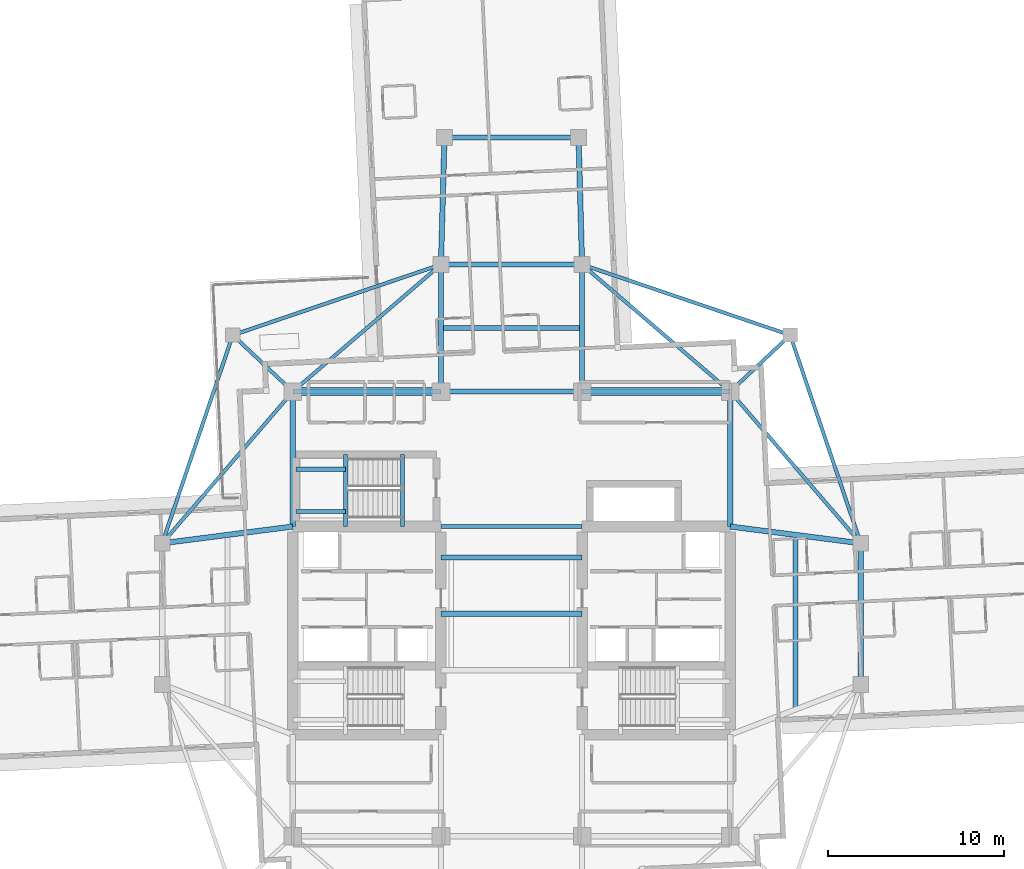
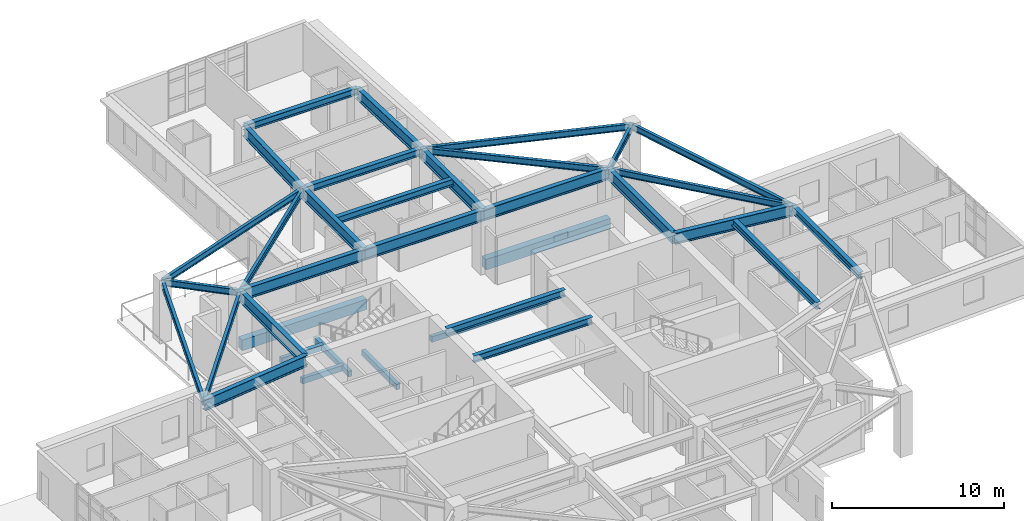
# One storey, part 7 of 22: 35 beams.
"""IFC4 building model written with IfcOpenShell, lengths in metres."""

import ifcopenshell
import ifcopenshell.guid

model = None  # the IFC model being written
_history = None  # IfcOwnerHistory: only IFC2X3 demands one
_inside = {}  # id of a spatial element -> (the spatial element, [elements in it])
_under = {}  # id of a project, library or spatial element -> (it, [spatial elements below it])
_declared = {}  # id of a project -> (the project, [libraries it declares])
_typed = {}  # id of a type object -> (the type object, [elements of that type])
_made_of = {}  # id of a material, layer set ... -> (it, [elements and type objects made of it])


def new_model(schema):
    """Start an empty IFC model of exactly this schema.

    Asked for "IFC4X3", IfcOpenShell would pick the latest addendum, in which some entities
    have other attributes; the version numbers below select the first issue.
    IFC2X3 requires an IfcOwnerHistory on every rooted entity: one is made here for all.
    """
    global model, _history
    if schema == "IFC4X3":
        model = ifcopenshell.file(schema_version=(4, 3, 0, 0))
    else:
        model = ifcopenshell.file(schema=schema)
    _inside.clear()
    _under.clear()
    _declared.clear()
    _typed.clear()
    _made_of.clear()
    _history = None
    if model.schema == "IFC2X3":
        org = make("IfcOrganization", Name="unknown")
        user = make(
            "IfcPersonAndOrganization",
            ThePerson=make("IfcPerson", FamilyName="unknown"),
            TheOrganization=org,
        )
        app = make(
            "IfcApplication",
            ApplicationDeveloper=org,
            Version="unknown",
            ApplicationFullName="unknown",
            ApplicationIdentifier="unknown",
        )
        _history = make(
            "IfcOwnerHistory",
            OwningUser=user,
            OwningApplication=app,
            ChangeAction="ADDED",
            CreationDate=0,
        )
    return model


def make(cls, **values):
    """One entity of the class cls with the attributes given. An attribute that is None is left unset."""
    return model.create_entity(
        cls, **{name: value for name, value in values.items() if value is not None}
    )


def rooted(cls, **values):
    """An entity with a GlobalId (a new one), such as an element, a storey or a relation."""
    return make(cls, GlobalId=ifcopenshell.guid.new(), OwnerHistory=_history, **values)


def si_unit(unit_type, name, prefix=None):
    """IfcSIUnit, for example si_unit("LENGTHUNIT", "METRE", prefix="MILLI")."""
    return make("IfcSIUnit", UnitType=unit_type, Prefix=prefix, Name=name)


def assignment(units):
    """IfcUnitAssignment: the units of a project."""
    return None if units is None else make("IfcUnitAssignment", Units=units)


def point(xyz):
    """IfcCartesianPoint."""
    return None if xyz is None else make("IfcCartesianPoint", Coordinates=xyz)


def direction(xyz):
    """IfcDirection."""
    return None if xyz is None else make("IfcDirection", DirectionRatios=xyz)


def frame(location, z_axis=None, x_axis=None):
    """IfcAxis2Placement3D, a coordinate frame: its origin and axes. An axis left out is left unset."""
    return make(
        "IfcAxis2Placement3D",
        Location=point(location),
        Axis=direction(z_axis),
        RefDirection=direction(x_axis),
    )


def frame_2d(location, x_axis=None):
    """IfcAxis2Placement2D, a coordinate frame in the plane: its origin and x axis."""
    return make(
        "IfcAxis2Placement2D", Location=point(location), RefDirection=direction(x_axis)
    )


def origin():
    """The frame at (0, 0, 0) with its axes left unset."""
    return frame((0.0, 0.0, 0.0))


def origin_2d():
    """The frame at (0, 0) in the plane with its x axis left unset."""
    return frame_2d((0.0, 0.0))


def place(relative_to, where):
    """IfcLocalPlacement: puts the frame where relative to a parent placement (None: the world)."""
    return make(
        "IfcLocalPlacement", PlacementRelTo=relative_to, RelativePlacement=where
    )


def context(
    kind, dimensions, precision=None, world=None, true_north=None, identifier=None
):
    """IfcGeometricRepresentationContext, for example the 3D "Model" context."""
    return make(
        "IfcGeometricRepresentationContext",
        ContextIdentifier=identifier,
        ContextType=kind,
        CoordinateSpaceDimension=dimensions,
        Precision=precision,
        WorldCoordinateSystem=world,
        TrueNorth=true_north,
    )


def subcontext(parent, identifier, kind, view, scale=None):
    """IfcGeometricRepresentationSubContext, for example "Body" below "Model"."""
    return make(
        "IfcGeometricRepresentationSubContext",
        ContextIdentifier=identifier,
        ContextType=kind,
        ParentContext=parent,
        TargetScale=scale,
        TargetView=view,
    )


def project(units=None, contexts=None):
    """IfcProject with its units and contexts."""
    return rooted(
        "IfcProject",
        Name="project",
        RepresentationContexts=contexts,
        UnitsInContext=assignment(units),
    )


def spatial(cls, under=None, at=None, **own):
    """A site, building, storey or space (cls), placed at a placement, below another one or the project."""
    s = rooted(cls, ObjectPlacement=at, **own)
    if under is not None:
        _under.setdefault(under.id(), (under, []))[1].append(s)
    return s


def profile(cls, at=None, kind="AREA", **sizes):
    """A parametric profile (cls). Its sizes go by their IFC names, for example OverallWidth=200.0."""
    return make(cls, ProfileType=kind, Position=at, **sizes)


def rectangle(**sizes):
    """IfcRectangleProfileDef."""
    return profile("IfcRectangleProfileDef", **sizes)


def i_section(**sizes):
    """IfcIShapeProfileDef."""
    return profile("IfcIShapeProfileDef", **sizes)


def extrude(swept, where, along, depth):
    """IfcExtrudedAreaSolid: the profile swept, set in the frame where, extruded along a direction by depth."""
    return make(
        "IfcExtrudedAreaSolid",
        SweptArea=swept,
        Position=where,
        ExtrudedDirection=direction(along),
        Depth=depth,
    )


def shape(context_of_items, identifier, shape_type, items):
    """IfcShapeRepresentation: the items that make up one representation, for example the "Body"."""
    return make(
        "IfcShapeRepresentation",
        ContextOfItems=context_of_items,
        RepresentationIdentifier=identifier,
        RepresentationType=shape_type,
        Items=items,
    )


def material(Name=None, Category=None):
    """IfcMaterial."""
    return make("IfcMaterial", Name=Name, Category=Category)


def material_profile(
    of_material, cross_section, Name=None, Category=None, Priority=None
):
    """IfcMaterialProfile: a cross section and its material."""
    return make(
        "IfcMaterialProfile",
        Name=Name,
        Material=of_material,
        Profile=cross_section,
        Priority=Priority,
        Category=Category,
    )


def profile_set(profiles, Name=None, composite=None):
    """IfcMaterialProfileSet."""
    return make(
        "IfcMaterialProfileSet",
        Name=Name,
        MaterialProfiles=profiles,
        CompositeProfile=composite,
    )


def made_of(thing, what):
    """Note that an element or type object is made of a material, layer set ...; save() writes the relation."""
    if what is not None:
        _made_of.setdefault(what.id(), (what, []))[1].append(thing)
    return thing


def type_object(cls, material=None, **own):
    """A type object (cls), such as IfcWallType, which elements share."""
    return made_of(rooted(cls, **own), material)


def element(
    cls,
    number,
    at=None,
    inside=None,
    cuts=None,
    type_object=None,
    material=None,
    context=None,
    identifier="Body",
    shape_type=None,
    held_by="IfcProductDefinitionShape",
    body=None,
    shapes=None,
    **own,
):
    """One element of the class cls, such as IfcWall. Its Tag is "e" and its number.

    at: its placement. inside: the storey or other place that contains it. cuts: it is an
    opening in that element (IfcRelVoidsElement). A single representation is given by context,
    identifier, shape_type and body (its items); several are given by shapes. held_by: the class
    of the entity that holds the representations. save() writes the other relations.
    """
    e = rooted(cls, Tag="e%d" % number, ObjectPlacement=at, **own)
    if body is not None:
        shapes = [shape(context, identifier, shape_type, body)]
    if shapes is not None:
        e.Representation = make(held_by, Representations=shapes)
    if inside is not None:
        _inside.setdefault(inside.id(), (inside, []))[1].append(e)
    if cuts is not None:
        rooted(
            "IfcRelVoidsElement", RelatingBuildingElement=cuts, RelatedOpeningElement=e
        )
    if type_object is not None:
        _typed.setdefault(type_object.id(), (type_object, []))[1].append(e)
    return made_of(e, material)


def aggregate(whole, parts):
    """IfcRelAggregates: a whole, such as a stair, and the parts it consists of."""
    return rooted("IfcRelAggregates", RelatingObject=whole, RelatedObjects=parts)


def save(model, path):
    """Write the relations noted so far, then the file.

    IfcRelAggregates (storeys below a building ...), IfcRelContainedInSpatialStructure (elements
    in a storey), IfcRelDefinesByType, IfcRelAssociatesMaterial and IfcRelDeclares: one each for
    every whole, place, type object, material and project.
    """
    for whole, parts in _under.values():
        aggregate(whole, parts)
    for where, things in _inside.values():
        rooted(
            "IfcRelContainedInSpatialStructure",
            RelatedElements=things,
            RelatingStructure=where,
        )
    for kind, things in _typed.values():
        rooted("IfcRelDefinesByType", RelatedObjects=things, RelatingType=kind)
    for what, things in _made_of.values():
        rooted("IfcRelAssociatesMaterial", RelatedObjects=things, RelatingMaterial=what)
    for by, libraries in _declared.values():
        rooted("IfcRelDeclares", RelatingContext=by, RelatedDefinitions=libraries)
    model.write(path)


model = new_model("IFC4")

# Units and contexts
model_context = context("Model", 3, precision=1e-05, world=origin(), true_north=direction((0.0, 1.0)))
body_context = subcontext(model_context, "Body", "Model", "MODEL_VIEW")
ifc_project = project(units=[si_unit("LENGTHUNIT", "METRE"), si_unit("AREAUNIT", "SQUARE_METRE"), si_unit("VOLUMEUNIT", "CUBIC_METRE"), si_unit("PLANEANGLEUNIT", "RADIAN"), si_unit("MASSUNIT", "GRAM", prefix="KILO")], contexts=[model_context])

# Site, building, storey
site_placement = place(None, origin())
site = spatial("IfcSite", under=ifc_project, at=site_placement, CompositionType="ELEMENT")
building_placement = place(site_placement, origin())
building = spatial("IfcBuilding", under=site, at=building_placement, Name="Qingluan Cross Belvedere", CompositionType="ELEMENT")
storey_placement = place(building_placement, frame((0.0, 0.0, 196.800048828125)))
storey = spatial("IfcBuildingStorey", under=building, at=storey_placement, Name="L49", CompositionType="ELEMENT", Elevation=196.800048828125)

# Beams
ifc_material_1 = material(Name="Concrete C45", Category="concrete")
ifc_material_profile_1 = material_profile(ifc_material_1, rectangle(XDim=0.25, YDim=0.39990234375, at=origin_2d()), Name="RC250x400")
ifc_profile_set_1 = profile_set([ifc_material_profile_1], Name="Concrete C45")
beam_type_1 = type_object("IfcBeamType", Name="RC_Lintel_RC250x400", PredefinedType="LINTEL", material=ifc_profile_set_1)
for number, where, z_axis, x_axis, name in (
    (1, (-6.179931640625, 4.949951171875, -0.199951171875), (0.0, 1.0, 0.0), (-1.0, 0.0, 0.0), "Stair ST3 landing beam L49"),
    (2, (-9.409912109375, 4.949951171875, 1.849853515625), (0.0, 1.0, 0.0), (-1.0, 0.0, 0.0), "Stair ST3 beam A L49"),
):
    element("IfcBeam", number, at=place(storey_placement, frame(where, z_axis=z_axis, x_axis=x_axis)), inside=storey, type_object=beam_type_1, Name=name, PredefinedType="LINTEL", context=body_context, shape_type="SweptSolid", body=[
        extrude(rectangle(XDim=0.25, YDim=0.39990234375, at=origin_2d()), origin(), (0.0, 0.0, 1.0), 4.090087890625),
    ])
for number, where, z_axis, x_axis, name in (
    (3, (-12.219970703125, 5.800048828125, 1.849853515625), (1.0, 0.0, 0.0), (0.0, 1.0, 0.0), "Stair ST3 beam B L49"),
    (4, (-12.219970703125, 8.18994140625, 1.849853515625), (1.0, 0.0, 0.0), (0.0, 1.0, 0.0), "Stair ST3 beam C L49"),
):
    element("IfcBeam", number, at=place(storey_placement, frame(where, z_axis=z_axis, x_axis=x_axis)), inside=storey, type_object=beam_type_1, Name=name, PredefinedType="LINTEL", context=body_context, shape_type="SweptSolid", body=[
        extrude(rectangle(XDim=0.25, YDim=0.39990234375, at=origin_2d()), origin(), (0.0, 0.0, 1.0), 2.81005859375),
    ])
beam_1_placement = place(storey_placement, frame((-4.0, 4.949951171875, 2.449951171875), z_axis=(1.0, 0.0, 0.0), x_axis=(0.0, 1.0, 0.0)))
element("IfcBeam", 5, at=beam_1_placement, inside=storey, type_object=beam_type_1, Name="Core coupling lintel beam L49", PredefinedType="LINTEL", context=body_context, shape_type="SweptSolid", body=[
    extrude(rectangle(XDim=0.25, YDim=0.39990234375, at=origin_2d()), origin(), (0.0, 0.0, 1.0), 8.0),
])
ifc_material_2 = material(Name="Concrete C45", Category="concrete")
ifc_material_profile_2 = material_profile(ifc_material_2, rectangle(XDim=0.449951171875, YDim=0.75, at=origin_2d()), Name="RC450x750")
ifc_profile_set_2 = profile_set([ifc_material_profile_2], Name="Concrete C45")
beam_type_2 = type_object("IfcBeamType", Name="RC_Spandrel_RC450x750", PredefinedType="SPANDREL", material=ifc_profile_set_2)
for number, where, z_axis, x_axis, name in (
    (6, (-12.39990234375, 12.60009765625, 0.39990234375), (1.0, 0.0, 0.0), (0.0, 1.0, 0.0), "Perimeter RC spandrel beam L49-NW"),
    (7, (4.0, 12.60009765625, 0.39990234375), (1.0, 0.0, 0.0), (0.0, 1.0, 0.0), "Perimeter RC spandrel beam L49-NE"),
):
    element("IfcBeam", number, at=place(storey_placement, frame(where, z_axis=z_axis, x_axis=x_axis)), inside=storey, type_object=beam_type_2, Name=name, PredefinedType="SPANDREL", context=body_context, shape_type="SweptSolid", body=[
        extrude(rectangle(XDim=0.449951171875, YDim=0.75, at=origin_2d()), origin(), (0.0, 0.0, 1.0), 8.39990234375),
    ])
ifc_material_3 = material(Name="Steel Q420GJB", Category="steel")
ifc_material_profile_3 = material_profile(ifc_material_3, i_section(OverallWidth=0.300048828125, OverallDepth=0.488037109375, WebThickness=0.010986328125, FlangeThickness=0.01806640625, FilletRadius=0.02197265625, at=origin_2d()), Name="HM488x300x11x18")
ifc_profile_set_3 = profile_set([ifc_material_profile_3], Name="Steel Q420GJB")
beam_type_3 = type_object("IfcBeamType", Name="Steel_Beam_HM488x300x11x18", PredefinedType="BEAM", material=ifc_profile_set_3)
for number, where, z_axis, x_axis, name in (
    (8, (-4.0, 0.0, 4.055908203125), (1.0, 0.0, 0.0), (0.0, 1.0, 0.0), "Hall beam L49-CH2"),
    (9, (-4.0, 3.199951171875, 4.055908203125), (1.0, 0.0, 0.0), (0.0, 1.0, 0.0), "Hall beam L49-CH3"),
    (10, (19.800048828125, -4.0, 4.055908203125), (0.0, 1.0, 0.0), (-1.0, 0.0, 0.0), "Arm E tie L49"),
):
    element("IfcBeam", number, at=place(storey_placement, frame(where, z_axis=z_axis, x_axis=x_axis)), inside=storey, type_object=beam_type_3, Name=name, PredefinedType="BEAM", context=body_context, shape_type="SweptSolid", body=[
        extrude(i_section(OverallWidth=0.300048828125, OverallDepth=0.488037109375, WebThickness=0.010986328125, FlangeThickness=0.01806640625, FilletRadius=0.02197265625, at=origin_2d()), origin(), (0.0, 0.0, 1.0), 8.0),
    ])
beam_2_placement = place(storey_placement, frame((16.10009765625, -5.425048828125, 4.055908203125), z_axis=(0.0, 1.0, 0.0), x_axis=(-1.0, 0.0, 0.0)))
element("IfcBeam", 11, at=beam_2_placement, inside=storey, type_object=beam_type_3, Name="Arm E beam L49", PredefinedType="BEAM", context=body_context, shape_type="SweptSolid", body=[
    extrude(i_section(OverallWidth=0.300048828125, OverallDepth=0.488037109375, WebThickness=0.010986328125, FlangeThickness=0.01806640625, FilletRadius=0.02197265625, at=origin_2d()), origin(), (0.0, 0.0, 1.0), 9.900146484375),
])
for number, where, z_axis, x_axis, name in (
    (12, (-4.0, 19.800048828125, 4.055908203125), (1.0, 0.0, 0.0), (0.0, 1.0, 0.0), "Arm N tie L49"),
    (13, (-4.0, 16.199951171875, 4.055908203125), (1.0, 0.0, 0.0), (0.0, 1.0, 0.0), "Arm N beam L49"),
):
    element("IfcBeam", number, at=place(storey_placement, frame(where, z_axis=z_axis, x_axis=x_axis)), inside=storey, type_object=beam_type_3, Name=name, PredefinedType="BEAM", context=body_context, shape_type="SweptSolid", body=[
        extrude(i_section(OverallWidth=0.300048828125, OverallDepth=0.488037109375, WebThickness=0.010986328125, FlangeThickness=0.01806640625, FilletRadius=0.02197265625, at=origin_2d()), origin(), (0.0, 0.0, 1.0), 8.0),
    ])
beam_3_placement = place(storey_placement, frame((-3.800048828125, 27.0, 4.055908203125), z_axis=(1.0, 0.0, 0.0), x_axis=(0.0, 1.0, 0.0)))
element("IfcBeam", 14, at=beam_3_placement, inside=storey, type_object=beam_type_3, Name="Arm N tip transverse beam L49", PredefinedType="BEAM", context=body_context, shape_type="SweptSolid", body=[
    extrude(i_section(OverallWidth=0.300048828125, OverallDepth=0.488037109375, WebThickness=0.010986328125, FlangeThickness=0.01806640625, FilletRadius=0.02197265625, at=origin_2d()), origin(), (0.0, 0.0, 1.0), 7.60009765625),
])
ifc_material_4 = material(Name="Steel Q420GJB", Category="steel")
ifc_material_profile_4 = material_profile(ifc_material_4, i_section(OverallWidth=0.199951171875, OverallDepth=0.449951171875, WebThickness=0.009033203125, FlangeThickness=0.013916015625, FilletRadius=0.01611328125, at=origin_2d()), Name="HN450x200x9x14")
ifc_profile_set_4 = profile_set([ifc_material_profile_4], Name="Steel Q420GJB")
beam_type_4 = type_object("IfcBeamType", Name="Steel_Beam_HN450x200x9x14", PredefinedType="JOIST", material=ifc_profile_set_4)
beam_4_placement = place(storey_placement, frame((12.39990234375, 12.60009765625, 4.074951171875), z_axis=(0.728219948308, 0.685343495546, 0.0), x_axis=(-0.685343495546, 0.728219948308, 0.0)))
element("IfcBeam", 15, at=beam_4_placement, inside=storey, type_object=beam_type_4, Name="Corner beam 1 L49-RNE", PredefinedType="JOIST", context=body_context, shape_type="SweptSolid", body=[
    extrude(i_section(OverallWidth=0.199951171875, OverallDepth=0.449951171875, WebThickness=0.009033203125, FlangeThickness=0.013916015625, FilletRadius=0.01611328125, at=origin_2d()), origin(), (0.0, 0.0, 1.0), 4.669189453125),
])
for number, where, z_axis, x_axis, name in (
    (16, (15.800048828125, 15.800048828125, 4.074951171875), (-0.947066283324, 0.321038089628, 0.0), (-0.321038089628, -0.947066283324, 0.0), "Corner beam 2 L49-RNE"),
    (17, (15.800048828125, 15.800048828125, 4.074951171875), (0.321038089628, -0.947066283324, 0.0), (0.947066283324, 0.321038089628, 0.0), "Corner beam 3 L49-RNE"),
):
    element("IfcBeam", number, at=place(storey_placement, frame(where, z_axis=z_axis, x_axis=x_axis)), inside=storey, type_object=beam_type_4, Name=name, PredefinedType="JOIST", context=body_context, shape_type="SweptSolid", body=[
        extrude(i_section(OverallWidth=0.199951171875, OverallDepth=0.449951171875, WebThickness=0.009033203125, FlangeThickness=0.013916015625, FilletRadius=0.01611328125, at=origin_2d()), origin(), (0.0, 0.0, 1.0), 12.45947265625),
    ])
beam_5_placement = place(storey_placement, frame((12.39990234375, 12.60009765625, 4.074951171875), z_axis=(0.652245077546, -0.75800815221, 0.0), x_axis=(0.75800815221, 0.652245077546, 0.0)))
element("IfcBeam", 18, at=beam_5_placement, inside=storey, type_object=beam_type_4, Name="Corner beam 4 L49-RNE", PredefinedType="JOIST", context=body_context, shape_type="SweptSolid", body=[
    extrude(i_section(OverallWidth=0.199951171875, OverallDepth=0.449951171875, WebThickness=0.009033203125, FlangeThickness=0.013916015625, FilletRadius=0.01611328125, at=origin_2d()), origin(), (0.0, 0.0, 1.0), 11.345703125),
])
beam_6_placement = place(storey_placement, frame((12.39990234375, 12.60009765625, 4.074951171875), z_axis=(-0.759255044656, 0.650793190779, 0.0), x_axis=(-0.650793190779, -0.759255044656, 0.0)))
element("IfcBeam", 19, at=beam_6_placement, inside=storey, type_object=beam_type_4, Name="Corner beam 5 L49-RNE", PredefinedType="JOIST", context=body_context, shape_type="SweptSolid", body=[
    extrude(i_section(OverallWidth=0.199951171875, OverallDepth=0.449951171875, WebThickness=0.009033203125, FlangeThickness=0.013916015625, FilletRadius=0.01611328125, at=origin_2d()), origin(), (0.0, 0.0, 1.0), 11.063232421875),
])
beam_7_placement = place(storey_placement, frame((-12.39990234375, 12.60009765625, 4.054931640625), z_axis=(-0.728219948308, 0.685343495546, 0.0), x_axis=(-0.685343495546, -0.728219948308, 0.0)))
element("IfcBeam", 20, at=beam_7_placement, inside=storey, type_object=beam_type_4, Name="Corner beam 1 L49-RNW", PredefinedType="JOIST", context=body_context, shape_type="SweptSolid", body=[
    extrude(i_section(OverallWidth=0.199951171875, OverallDepth=0.449951171875, WebThickness=0.009033203125, FlangeThickness=0.013916015625, FilletRadius=0.01611328125, at=origin_2d()), origin(), (0.0, 0.0, 1.0), 4.669189453125),
])
for number, where, z_axis, x_axis, name in (
    (21, (-15.800048828125, 15.800048828125, 4.054931640625), (0.947066283324, 0.321038089628, 0.0), (-0.321038089628, 0.947066283324, 0.0), "Corner beam 2 L49-RNW"),
    (22, (-15.800048828125, 15.800048828125, 4.054931640625), (-0.321038089628, -0.947066283324, 0.0), (0.947066283324, -0.321038089628, 0.0), "Corner beam 3 L49-RNW"),
):
    element("IfcBeam", number, at=place(storey_placement, frame(where, z_axis=z_axis, x_axis=x_axis)), inside=storey, type_object=beam_type_4, Name=name, PredefinedType="JOIST", context=body_context, shape_type="SweptSolid", body=[
        extrude(i_section(OverallWidth=0.199951171875, OverallDepth=0.449951171875, WebThickness=0.009033203125, FlangeThickness=0.013916015625, FilletRadius=0.01611328125, at=origin_2d()), origin(), (0.0, 0.0, 1.0), 12.45947265625),
    ])
beam_8_placement = place(storey_placement, frame((-12.39990234375, 12.60009765625, 4.054931640625), z_axis=(-0.652245077546, -0.75800815221, 0.0), x_axis=(0.75800815221, -0.652245077546, 0.0)))
element("IfcBeam", 23, at=beam_8_placement, inside=storey, type_object=beam_type_4, Name="Corner beam 4 L49-RNW", PredefinedType="JOIST", context=body_context, shape_type="SweptSolid", body=[
    extrude(i_section(OverallWidth=0.199951171875, OverallDepth=0.449951171875, WebThickness=0.009033203125, FlangeThickness=0.013916015625, FilletRadius=0.01611328125, at=origin_2d()), origin(), (0.0, 0.0, 1.0), 11.345703125),
])
beam_9_placement = place(storey_placement, frame((-12.39990234375, 12.60009765625, 4.054931640625), z_axis=(0.759255044656, 0.650793190779, 0.0), x_axis=(-0.650793190779, 0.759255044656, 0.0)))
element("IfcBeam", 24, at=beam_9_placement, inside=storey, type_object=beam_type_4, Name="Corner beam 5 L49-RNW", PredefinedType="JOIST", context=body_context, shape_type="SweptSolid", body=[
    extrude(i_section(OverallWidth=0.199951171875, OverallDepth=0.449951171875, WebThickness=0.009033203125, FlangeThickness=0.013916015625, FilletRadius=0.01611328125, at=origin_2d()), origin(), (0.0, 0.0, 1.0), 11.063232421875),
])
ifc_material_5 = material(Name="Steel Q420GJB", Category="steel")
ifc_material_profile_5 = material_profile(ifc_material_5, i_section(OverallWidth=0.300048828125, OverallDepth=0.800048828125, WebThickness=0.015380859375, FlangeThickness=0.028076171875, FilletRadius=0.030029296875, at=origin_2d()), Name="HEB800")
ifc_profile_set_5 = profile_set([ifc_material_profile_5], Name="Steel Q420GJB")
beam_type_5 = type_object("IfcBeamType", Name="Steel_Girder_HEB800", PredefinedType="USERDEFINED", material=ifc_profile_set_5)
beam_10_placement = place(storey_placement, frame((-12.39990234375, 12.60009765625, 3.89990234375), z_axis=(1.0, 0.0, 0.0), x_axis=(0.0, 1.0, 0.0)))
element("IfcBeam", 25, at=beam_10_placement, inside=storey, type_object=beam_type_5, Name="Hub girder L49-HG-N1", ObjectType="GIRDER", PredefinedType="USERDEFINED", context=body_context, shape_type="SweptSolid", body=[
    extrude(i_section(OverallWidth=0.300048828125, OverallDepth=0.800048828125, WebThickness=0.015380859375, FlangeThickness=0.028076171875, FilletRadius=0.030029296875, at=origin_2d()), origin(), (0.0, 0.0, 1.0), 8.39990234375),
])
beam_11_placement = place(storey_placement, frame((-4.0, 12.60009765625, 3.89990234375), z_axis=(1.0, 0.0, 0.0), x_axis=(0.0, 1.0, 0.0)))
element("IfcBeam", 26, at=beam_11_placement, inside=storey, type_object=beam_type_5, Name="Hub girder L49-HG-N2", ObjectType="GIRDER", PredefinedType="USERDEFINED", context=body_context, shape_type="SweptSolid", body=[
    extrude(i_section(OverallWidth=0.300048828125, OverallDepth=0.800048828125, WebThickness=0.015380859375, FlangeThickness=0.028076171875, FilletRadius=0.030029296875, at=origin_2d()), origin(), (0.0, 0.0, 1.0), 8.0),
])
beam_12_placement = place(storey_placement, frame((4.0, 12.60009765625, 3.89990234375), z_axis=(1.0, 0.0, 0.0), x_axis=(0.0, 1.0, 0.0)))
element("IfcBeam", 27, at=beam_12_placement, inside=storey, type_object=beam_type_5, Name="Hub girder L49-HG-N3", ObjectType="GIRDER", PredefinedType="USERDEFINED", context=body_context, shape_type="SweptSolid", body=[
    extrude(i_section(OverallWidth=0.300048828125, OverallDepth=0.800048828125, WebThickness=0.015380859375, FlangeThickness=0.028076171875, FilletRadius=0.030029296875, at=origin_2d()), origin(), (0.0, 0.0, 1.0), 8.39990234375),
])
for number, where, z_axis, x_axis, name in (
    (28, (-12.39990234375, 4.949951171875, 3.89990234375), (0.0, 1.0, 0.0), (-1.0, 0.0, 0.0), "Hub girder L49-HG-W2"),
    (29, (12.39990234375, 4.949951171875, 3.89990234375), (0.0, 1.0, 0.0), (-1.0, 0.0, 0.0), "Hub girder L49-HG-E2"),
):
    element("IfcBeam", number, at=place(storey_placement, frame(where, z_axis=z_axis, x_axis=x_axis)), inside=storey, type_object=beam_type_5, Name=name, ObjectType="GIRDER", PredefinedType="USERDEFINED", context=body_context, shape_type="SweptSolid", body=[
        extrude(i_section(OverallWidth=0.300048828125, OverallDepth=0.800048828125, WebThickness=0.015380859375, FlangeThickness=0.028076171875, FilletRadius=0.030029296875, at=origin_2d()), origin(), (0.0, 0.0, 1.0), 7.650146484375),
    ])
for number, where, z_axis, x_axis, name in (
    (30, (12.39990234375, 4.949951171875, 3.89990234375), (0.991861120628, -0.12732445714, 0.0), (0.12732445714, 0.991861120628, 0.0), "Arm E radial girder B L49"),
    (31, (-12.39990234375, 4.949951171875, 3.89990234375), (-0.991861120628, -0.12732445714, 0.0), (0.12732445714, -0.991861120628, 0.0), "Arm W radial girder B L49"),
):
    element("IfcBeam", number, at=place(storey_placement, frame(where, z_axis=z_axis, x_axis=x_axis)), inside=storey, type_object=beam_type_5, Name=name, ObjectType="GIRDER", PredefinedType="USERDEFINED", context=body_context, shape_type="SweptSolid", body=[
        extrude(i_section(OverallWidth=0.300048828125, OverallDepth=0.800048828125, WebThickness=0.015380859375, FlangeThickness=0.028076171875, FilletRadius=0.030029296875, at=origin_2d()), origin(), (0.0, 0.0, 1.0), 7.4609375),
    ])
for number, where, z_axis, x_axis, name in (
    (32, (-4.0, 12.60009765625, 3.89990234375), (0.0, 1.0, 0.0), (-1.0, 0.0, 0.0), "Arm N radial girder A L49"),
    (33, (4.0, 12.60009765625, 3.89990234375), (0.0, 1.0, 0.0), (-1.0, 0.0, 0.0), "Arm N radial girder B L49"),
):
    element("IfcBeam", number, at=place(storey_placement, frame(where, z_axis=z_axis, x_axis=x_axis)), inside=storey, type_object=beam_type_5, Name=name, ObjectType="GIRDER", PredefinedType="USERDEFINED", context=body_context, shape_type="SweptSolid", body=[
        extrude(i_section(OverallWidth=0.300048828125, OverallDepth=0.800048828125, WebThickness=0.015380859375, FlangeThickness=0.028076171875, FilletRadius=0.030029296875, at=origin_2d()), origin(), (0.0, 0.0, 1.0), 7.199951171875),
    ])
for number, where, z_axis, x_axis, name in (
    (34, (-4.0, 19.800048828125, 3.89990234375), (0.027760481514, 0.999614603568, 0.0), (-0.999614603568, 0.027760481514, 0.0), "Arm N outer radial girder A L49"),
    (35, (4.0, 19.800048828125, 3.89990234375), (-0.027760481514, 0.999614603568, 0.0), (-0.999614603568, -0.027760481514, 0.0), "Arm N outer radial girder B L49"),
):
    element("IfcBeam", number, at=place(storey_placement, frame(where, z_axis=z_axis, x_axis=x_axis)), inside=storey, type_object=beam_type_5, Name=name, ObjectType="GIRDER", PredefinedType="USERDEFINED", context=body_context, shape_type="SweptSolid", body=[
        extrude(i_section(OverallWidth=0.300048828125, OverallDepth=0.800048828125, WebThickness=0.015380859375, FlangeThickness=0.028076171875, FilletRadius=0.030029296875, at=origin_2d()), origin(), (0.0, 0.0, 1.0), 7.20263671875),
    ])

save(model, "model.ifc")
